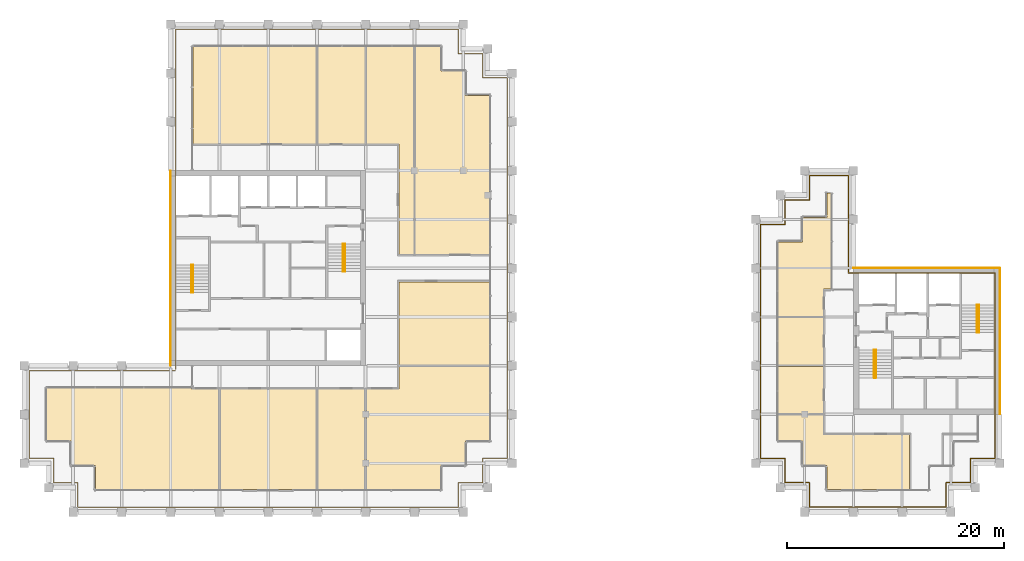
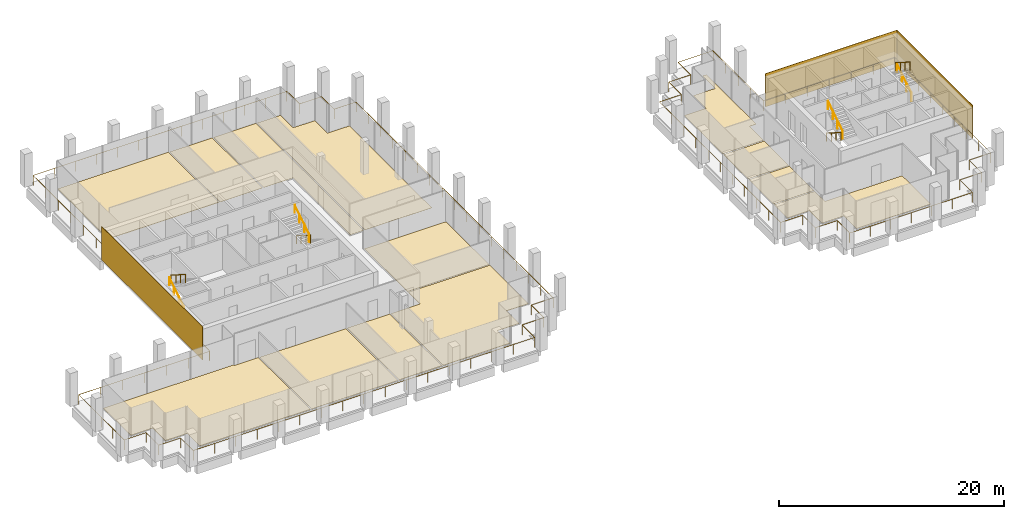
# One storey, part 40 of 40: 16 coverings, 10 railings.
"""IFC4 building model written with IfcOpenShell, lengths in metres."""

from ifc_helpers import new_model, si_unit, direction, frame, origin, origin_2d, place, context, subcontext, project, spatial, polyline, rectangle, circle, outline, extrude, source, transform, mapped, material, layer, layer_set, type_object, element, save


model = new_model("IFC4")

# Units and contexts
model_context = context("Model", 3, precision=1e-05, world=origin(), true_north=direction((0.0, 1.0)))
body_context = subcontext(model_context, "Body", "Model", "MODEL_VIEW")
ifc_project = project(units=[si_unit("LENGTHUNIT", "METRE"), si_unit("AREAUNIT", "SQUARE_METRE"), si_unit("VOLUMEUNIT", "CUBIC_METRE"), si_unit("PLANEANGLEUNIT", "RADIAN"), si_unit("MASSUNIT", "GRAM", prefix="KILO")], contexts=[model_context])

# Site, building, storey
site_placement = place(None, origin())
site = spatial("IfcSite", under=ifc_project, at=site_placement, CompositionType="ELEMENT")
building_placement = place(site_placement, origin())
building = spatial("IfcBuilding", under=site, at=building_placement, Name="Altepetl Exchange Towers", CompositionType="ELEMENT")
storey_placement = place(building_placement, frame((0.0, 0.0, 195.60009765625)))
storey = spatial("IfcBuildingStorey", under=building, at=storey_placement, Name="L49", CompositionType="ELEMENT", Elevation=195.60009765625)

# Coverings
ifc_material_1 = material(Name="Carpet tile")
ifc_layer_1 = layer(ifc_material_1, 0.02001953125)
ifc_layer_set_1 = layer_set([ifc_layer_1], Name="Carpet tile")
covering_type_1 = type_object("IfcCoveringType", Name="Carpet tile floor", PredefinedType="FLOORING", material=ifc_layer_set_1)
covering_1_placement = place(storey_placement, origin())
element("IfcCovering", 1, at=covering_1_placement, inside=storey, type_object=covering_type_1, Name="Open office floor finish A49.02", PredefinedType="FLOORING", context=body_context, shape_type="SweptSolid", body=[
    extrude(outline(polyline([(45.0625, 38.33740234375), (45.0625, 29.0625), (53.9375, 29.0625), (53.9375, 38.33740234375), (45.0625, 38.33740234375)])), origin(), (0.0, 0.0, 1.0), 0.02001953125),
])
covering_2_placement = place(storey_placement, origin())
element("IfcCovering", 2, at=covering_2_placement, inside=storey, type_object=covering_type_1, Name="Open office floor finish A49.06", PredefinedType="FLOORING", context=body_context, shape_type="SweptSolid", body=[
    extrude(outline(polyline([(65.4375, 67.6875), (65.4375, 69.9375), (63.0625, 69.9375), (63.0625, 50.762451171875), (69.9375, 50.762451171875), (69.9375, 65.4375), (67.6875, 65.4375), (67.6875, 67.6875), (65.4375, 67.6875)])), origin(), (0.0, 0.0, 1.0), 0.02001953125),
])
covering_3_placement = place(storey_placement, origin())
element("IfcCovering", 3, at=covering_3_placement, inside=storey, type_object=covering_type_1, Name="Meeting room floor finish A49.07", PredefinedType="FLOORING", context=body_context, shape_type="SweptSolid", body=[
    extrude(outline(polyline([(62.9375, 50.762451171875), (62.9375, 69.9375), (58.5625, 69.9375), (58.5625, 60.96240234375), (61.5625, 60.96240234375), (61.5625, 50.762451171875), (62.9375, 50.762451171875)])), origin(), (0.0, 0.0, 1.0), 0.02001953125),
])
covering_4_placement = place(storey_placement, origin())
element("IfcCovering", 4, at=covering_4_placement, inside=storey, type_object=covering_type_1, Name="Pantry floor finish A49.08", PredefinedType="FLOORING", context=body_context, shape_type="SweptSolid", body=[
    extrude(outline(polyline([(58.4375, 60.96240234375), (58.4375, 69.9375), (54.0625, 69.9375), (54.0625, 60.96240234375), (58.4375, 60.96240234375)])), origin(), (0.0, 0.0, 1.0), 0.02001953125),
])
covering_5_placement = place(storey_placement, origin())
element("IfcCovering", 5, at=covering_5_placement, inside=storey, type_object=covering_type_1, Name="Fund office floor finish B49.01", PredefinedType="FLOORING", context=body_context, shape_type="SweptSolid", body=[
    extrude(outline(polyline([(100.737548828125, 44.9375), (96.5625, 44.9375), (96.5625, 40.5625), (100.737548828125, 40.5625), (100.737548828125, 44.9375)])), origin(), (0.0, 0.0, 1.0), 0.02001953125),
])
covering_6_placement = place(storey_placement, origin())
element("IfcCovering", 6, at=covering_6_placement, inside=storey, type_object=covering_type_1, Name="Fund office floor finish B49.02", PredefinedType="FLOORING", context=body_context, shape_type="SweptSolid", body=[
    extrude(outline(polyline([(100.737548828125, 40.4375), (96.5625, 40.4375), (96.5625, 36.0625), (100.737548828125, 36.0625), (100.737548828125, 40.4375)])), origin(), (0.0, 0.0, 1.0), 0.02001953125),
])
covering_7_placement = place(storey_placement, origin())
element("IfcCovering", 7, at=covering_7_placement, inside=storey, type_object=covering_type_1, Name="Wealth office floor finish B49.03", PredefinedType="FLOORING", context=body_context, shape_type="SweptSolid", body=[
    extrude(outline(polyline([(100.737548828125, 34.137451171875), (100.737548828125, 35.9375), (96.5625, 35.9375), (96.5625, 33.5625), (98.8125, 33.5625), (98.8125, 31.3125), (101.0625, 31.3125), (101.0625, 29.0625), (108.6875, 29.0625), (108.6875, 34.137451171875), (100.737548828125, 34.137451171875)])), origin(), (0.0, 0.0, 1.0), 0.02001953125),
])
covering_8_placement = place(storey_placement, origin())
element("IfcCovering", 8, at=covering_8_placement, inside=storey, type_object=covering_type_1, Name="Family office floor finish B49.04", PredefinedType="FLOORING", context=body_context, shape_type="SweptSolid", body=[
    extrude(outline(polyline([(96.5625, 51.9375), (96.5625, 45.0625), (100.737548828125, 45.0625), (100.737548828125, 47.5625), (101.4375, 47.5625), (101.4375, 56.4375), (101.0625, 56.4375), (101.0625, 54.1875), (98.8125, 54.1875), (98.8125, 51.9375), (96.5625, 51.9375)])), origin(), (0.0, 0.0, 1.0), 0.02001953125),
])
ifc_material_2 = material(Name="Calcium sulphate access floor panel")
ifc_layer_2 = layer(ifc_material_2, 0.0400390625)
ifc_layer_set_2 = layer_set([ifc_layer_2], Name="Calcium sulphate access floor panel")
covering_type_2 = type_object("IfcCoveringType", Name="Raised access floor panels", PredefinedType="FLOORING", material=ifc_layer_set_2)
covering_9_placement = place(storey_placement, origin())
element("IfcCovering", 9, at=covering_9_placement, inside=storey, type_object=covering_type_2, Name="Broker office floor finish A49.01", PredefinedType="FLOORING", context=body_context, shape_type="SweptSolid", body=[
    extrude(outline(polyline([(33.5625, 29.0625), (44.9375, 29.0625), (44.9375, 38.33740234375), (42.4375, 38.33740234375), (42.4375, 38.4375), (29.0625, 38.4375), (29.0625, 33.5625), (31.3125, 33.5625), (31.3125, 31.3125), (33.5625, 31.3125), (33.5625, 29.0625)])), origin(), (0.0, 0.0, 1.0), 0.039794921875),
])
covering_10_placement = place(storey_placement, origin())
element("IfcCovering", 10, at=covering_10_placement, inside=storey, type_object=covering_type_2, Name="Data room floor finish A49.03", PredefinedType="FLOORING", context=body_context, shape_type="SweptSolid", body=[
    extrude(outline(polyline([(54.0625, 29.0625), (58.4375, 29.0625), (58.4375, 38.33740234375), (54.0625, 38.33740234375), (54.0625, 29.0625)])), origin(), (0.0, 0.0, 1.0), 0.039794921875),
])
covering_11_placement = place(storey_placement, origin())
element("IfcCovering", 11, at=covering_11_placement, inside=storey, type_object=covering_type_2, Name="Treasury office floor finish A49.04", PredefinedType="FLOORING", context=body_context, shape_type="SweptSolid", body=[
    extrude(outline(polyline([(58.5625, 38.33740234375), (58.5625, 29.0625), (65.4375, 29.0625), (65.4375, 31.3125), (67.6875, 31.3125), (67.6875, 33.5625), (69.9375, 33.5625), (69.9375, 40.4375), (61.5625, 40.4375), (61.5625, 38.33740234375), (58.5625, 38.33740234375)])), origin(), (0.0, 0.0, 1.0), 0.039794921875),
])
covering_12_placement = place(storey_placement, origin())
element("IfcCovering", 12, at=covering_12_placement, inside=storey, type_object=covering_type_2, Name="Treasury office floor finish A49.05", PredefinedType="FLOORING", context=body_context, shape_type="SweptSolid", body=[
    extrude(outline(polyline([(61.5625, 40.5625), (69.9375, 40.5625), (69.9375, 48.237548828125), (61.5625, 48.237548828125), (61.5625, 40.5625)])), origin(), (0.0, 0.0, 1.0), 0.039794921875),
])
covering_13_placement = place(storey_placement, origin())
element("IfcCovering", 13, at=covering_13_placement, inside=storey, type_object=covering_type_2, Name="Broker office floor finish A49.09", PredefinedType="FLOORING", context=body_context, shape_type="SweptSolid", body=[
    extrude(outline(polyline([(53.9375, 60.96240234375), (53.9375, 69.9375), (42.5625, 69.9375), (42.5625, 60.96240234375), (53.9375, 60.96240234375)])), origin(), (0.0, 0.0, 1.0), 0.039794921875),
])
ifc_material_3 = material(Name="Cantera limestone cladding", Category="masonry")
ifc_layer_3 = layer(ifc_material_3, 0.0400390625)
ifc_layer_set_3 = layer_set([ifc_layer_3], Name="Cantera limestone cladding")
covering_type_3 = type_object("IfcCoveringType", Name="Stone panel 40 cantera", PredefinedType="CLADDING", material=ifc_layer_set_3)
covering_14_placement = place(storey_placement, frame((40.47998046875, 49.5, -0.000244140625), z_axis=(0.0, 0.0, 1.0), x_axis=(0.0, -1.0, 0.0)))
element("IfcCovering", 14, at=covering_14_placement, inside=storey, type_object=covering_type_3, Name="Stone cladding panel", PredefinedType="CLADDING", context=body_context, shape_type="SweptSolid", body=[
    extrude(rectangle(XDim=18.0, YDim=0.0400390625, at=origin_2d()), origin(), (0.0, 0.0, 1.0), 3.60009765625),
])
for number, where, z_axis, x_axis, name in (
    (15, (117.02001953125, 42.75, -0.000244140625), (0.0, 0.0, 1.0), (0.0, 1.0, 0.0), "Stone cladding panel"),
    (16, (110.25, 49.52001953125, -0.000244140625), (0.0, 0.0, 1.0), (-1.0, 0.0, 0.0), "Stone cladding panel"),
):
    element("IfcCovering", number, at=place(storey_placement, frame(where, z_axis=z_axis, x_axis=x_axis)), inside=storey, type_object=covering_type_3, Name=name, PredefinedType="CLADDING", context=body_context, shape_type="SweptSolid", body=[
        extrude(rectangle(XDim=13.5, YDim=0.0400390625, at=origin_2d()), origin(), (0.0, 0.0, 1.0), 3.60009765625),
    ])

# Railings
ifc_material_4 = material(Name="Steel S355", Category="steel")
railing_type_1 = type_object("IfcRailingType", Name="Guard 1100 steel posts and rail", PredefinedType="GUARDRAIL", material=ifc_material_4)
shared_shape_1 = source(origin(), body_context, "Body", "SweptSolid", [
    extrude(circle(Radius=0.02099609375, at=origin_2d()), origin(), (0.0, 0.0, 1.0), 1.052001953125),
])
railing_1_placement = place(storey_placement, frame((40.949951171875, 40.050048828125, 0.0)))
element("IfcRailing", 17, at=railing_1_placement, inside=storey, type_object=railing_type_1, Name="Loggia guard", PredefinedType="GUARDRAIL", context=body_context, shape_type="SweptSolid", body=[
    extrude(circle(Radius=0.02392578125, at=origin_2d()), frame((0.0, 0.0, 1.076171875), z_axis=(-1.0, 0.0, 0.0), x_axis=(0.0, -1.0, 0.0)), (0.0, 0.0, 1.0), 13.5),
    extrude(circle(Radius=0.02392578125, at=origin_2d()), frame((-13.5, 0.0, 1.076171875), z_axis=(0.0, -1.0, 0.0), x_axis=(1.0, 0.0, 0.0)), (0.0, 0.0, 1.0), 8.10009765625),
    extrude(circle(Radius=0.02392578125, at=origin_2d()), frame((-13.5, -8.10009765625, 1.076171875), z_axis=(1.0, 0.0, 0.0), x_axis=(0.0, 1.0, 0.0)), (0.0, 0.0, 1.0), 2.25),
    extrude(circle(Radius=0.02392578125, at=origin_2d()), frame((-11.25, -8.10009765625, 1.076171875), z_axis=(0.0, -1.0, 0.0), x_axis=(1.0, 0.0, 0.0)), (0.0, 0.0, 1.0), 2.25),
    extrude(circle(Radius=0.02392578125, at=origin_2d()), frame((-11.25, -10.35009765625, 1.076171875), z_axis=(1.0, 0.0, 0.0), x_axis=(0.0, 1.0, 0.0)), (0.0, 0.0, 1.0), 2.25),
    extrude(circle(Radius=0.02392578125, at=origin_2d()), frame((-9.0, -10.35009765625, 1.076171875), z_axis=(0.0, -1.0, 0.0), x_axis=(1.0, 0.0, 0.0)), (0.0, 0.0, 1.0), 2.25),
    extrude(circle(Radius=0.02392578125, at=origin_2d()), frame((-9.0, -12.60009765625, 1.076171875), z_axis=(1.0, 0.0, 0.0), x_axis=(0.0, 1.0, 0.0)), (0.0, 0.0, 1.0), 35.10009765625),
    extrude(circle(Radius=0.02392578125, at=origin_2d()), frame((26.10009765625, -12.60009765625, 1.076171875), z_axis=(0.0, 1.0, 0.0), x_axis=(-1.0, 0.0, 0.0)), (0.0, 0.0, 1.0), 2.25),
    extrude(circle(Radius=0.02392578125, at=origin_2d()), frame((26.10009765625, -10.35009765625, 1.076171875), z_axis=(1.0, 0.0, 0.0), x_axis=(0.0, 1.0, 0.0)), (0.0, 0.0, 1.0), 2.25),
    extrude(circle(Radius=0.02392578125, at=origin_2d()), frame((28.35009765625, -10.35009765625, 1.076171875), z_axis=(0.0, 1.0, 0.0), x_axis=(-1.0, 0.0, 0.0)), (0.0, 0.0, 1.0), 2.25),
    extrude(circle(Radius=0.02392578125, at=origin_2d()), frame((28.35009765625, -8.10009765625, 1.076171875), z_axis=(1.0, 0.0, 0.0), x_axis=(0.0, 1.0, 0.0)), (0.0, 0.0, 1.0), 2.25),
    extrude(circle(Radius=0.02392578125, at=origin_2d()), frame((30.60009765625, -8.10009765625, 1.076171875), z_axis=(0.0, 1.0, 0.0), x_axis=(-1.0, 0.0, 0.0)), (0.0, 0.0, 1.0), 35.10009765625),
    extrude(circle(Radius=0.02392578125, at=origin_2d()), frame((30.60009765625, 27.0, 1.076171875), z_axis=(-1.0, 0.0, 0.0), x_axis=(0.0, -1.0, 0.0)), (0.0, 0.0, 1.0), 2.25),
    extrude(circle(Radius=0.02392578125, at=origin_2d()), frame((28.35009765625, 27.0, 1.076171875), z_axis=(0.0, 1.0, 0.0), x_axis=(-1.0, 0.0, 0.0)), (0.0, 0.0, 1.0), 2.25),
    extrude(circle(Radius=0.02392578125, at=origin_2d()), frame((28.35009765625, 29.25, 1.076171875), z_axis=(-1.0, 0.0, 0.0), x_axis=(0.0, -1.0, 0.0)), (0.0, 0.0, 1.0), 2.25),
    extrude(circle(Radius=0.02392578125, at=origin_2d()), frame((26.10009765625, 29.25, 1.076171875), z_axis=(0.0, 1.0, 0.0), x_axis=(-1.0, 0.0, 0.0)), (0.0, 0.0, 1.0), 2.25),
    extrude(circle(Radius=0.02392578125, at=origin_2d()), frame((26.10009765625, 31.5, 1.076171875), z_axis=(-1.0, 0.0, 0.0), x_axis=(0.0, -1.0, 0.0)), (0.0, 0.0, 1.0), 26.10009765625),
    extrude(circle(Radius=0.02392578125, at=origin_2d()), frame((0.0, 31.5, 1.076171875), z_axis=(0.0, -1.0, 0.0), x_axis=(1.0, 0.0, 0.0)), (0.0, 0.0, 1.0), 31.400146484375),
    mapped(shared_shape_1, transform((0.0, 0.0, 0.0))),
    mapped(shared_shape_1, transform((-2.25, 0.0, 0.0))),
    mapped(shared_shape_1, transform((-4.5, 0.0, 0.0))),
    mapped(shared_shape_1, transform((-6.75, 0.0, 0.0))),
    mapped(shared_shape_1, transform((-9.0, 0.0, 0.0))),
    mapped(shared_shape_1, transform((-11.25, 0.0, 0.0))),
    mapped(shared_shape_1, transform((-13.5, 0.0, 0.0))),
    mapped(shared_shape_1, transform((-13.5, -2.02490234375, 0.0))),
    mapped(shared_shape_1, transform((-13.5, -4.050048828125, 0.0))),
    mapped(shared_shape_1, transform((-13.5, -6.0751953125, 0.0))),
    mapped(shared_shape_1, transform((-13.5, -8.10009765625, 0.0))),
    mapped(shared_shape_1, transform((-11.25, -8.10009765625, 0.0))),
    mapped(shared_shape_1, transform((-11.25, -10.35009765625, 0.0))),
    mapped(shared_shape_1, transform((-9.0, -10.35009765625, 0.0))),
    mapped(shared_shape_1, transform((-9.0, -12.60009765625, 0.0))),
    mapped(shared_shape_1, transform((-6.80615234375, -12.60009765625, 0.0))),
    mapped(shared_shape_1, transform((-4.612548828125, -12.60009765625, 0.0))),
    mapped(shared_shape_1, transform((-2.418701171875, -12.60009765625, 0.0))),
    mapped(shared_shape_1, transform((-0.22509765625, -12.60009765625, 0.0))),
    mapped(shared_shape_1, transform((1.96875, -12.60009765625, 0.0))),
    mapped(shared_shape_1, transform((4.16259765625, -12.60009765625, 0.0))),
    mapped(shared_shape_1, transform((6.356201171875, -12.60009765625, 0.0))),
    mapped(shared_shape_1, transform((8.550048828125, -12.60009765625, 0.0))),
    mapped(shared_shape_1, transform((10.743896484375, -12.60009765625, 0.0))),
    mapped(shared_shape_1, transform((12.9375, -12.60009765625, 0.0))),
    mapped(shared_shape_1, transform((15.13134765625, -12.60009765625, 0.0))),
    mapped(shared_shape_1, transform((17.3251953125, -12.60009765625, 0.0))),
    mapped(shared_shape_1, transform((19.518798828125, -12.60009765625, 0.0))),
    mapped(shared_shape_1, transform((21.712646484375, -12.60009765625, 0.0))),
    mapped(shared_shape_1, transform((23.90625, -12.60009765625, 0.0))),
    mapped(shared_shape_1, transform((26.10009765625, -12.60009765625, 0.0))),
    mapped(shared_shape_1, transform((26.10009765625, -10.35009765625, 0.0))),
    mapped(shared_shape_1, transform((28.35009765625, -10.35009765625, 0.0))),
    mapped(shared_shape_1, transform((28.35009765625, -8.10009765625, 0.0))),
    mapped(shared_shape_1, transform((30.60009765625, -8.10009765625, 0.0))),
    mapped(shared_shape_1, transform((30.60009765625, -5.90625, 0.0))),
    mapped(shared_shape_1, transform((30.60009765625, -3.712646484375, 0.0))),
    mapped(shared_shape_1, transform((30.60009765625, -1.518798828125, 0.0))),
    mapped(shared_shape_1, transform((30.60009765625, 0.6748046875, 0.0))),
    mapped(shared_shape_1, transform((30.60009765625, 2.86865234375, 0.0))),
    mapped(shared_shape_1, transform((30.60009765625, 5.0625, 0.0))),
    mapped(shared_shape_1, transform((30.60009765625, 7.256103515625, 0.0))),
    mapped(shared_shape_1, transform((30.60009765625, 9.449951171875, 0.0))),
    mapped(shared_shape_1, transform((30.60009765625, 11.643798828125, 0.0))),
    mapped(shared_shape_1, transform((30.60009765625, 13.83740234375, 0.0))),
    mapped(shared_shape_1, transform((30.60009765625, 16.03125, 0.0))),
    mapped(shared_shape_1, transform((30.60009765625, 18.22509765625, 0.0))),
    mapped(shared_shape_1, transform((30.60009765625, 20.418701171875, 0.0))),
    mapped(shared_shape_1, transform((30.60009765625, 22.612548828125, 0.0))),
    mapped(shared_shape_1, transform((30.60009765625, 24.80615234375, 0.0))),
    mapped(shared_shape_1, transform((30.60009765625, 27.0, 0.0))),
    mapped(shared_shape_1, transform((28.35009765625, 27.0, 0.0))),
    mapped(shared_shape_1, transform((28.35009765625, 29.25, 0.0))),
    mapped(shared_shape_1, transform((26.10009765625, 29.25, 0.0))),
    mapped(shared_shape_1, transform((26.10009765625, 31.5, 0.0))),
    mapped(shared_shape_1, transform((23.925048828125, 31.5, 0.0))),
    mapped(shared_shape_1, transform((21.75, 31.5, 0.0))),
    mapped(shared_shape_1, transform((19.5751953125, 31.5, 0.0))),
    mapped(shared_shape_1, transform((17.400146484375, 31.5, 0.0))),
    mapped(shared_shape_1, transform((15.22509765625, 31.5, 0.0))),
    mapped(shared_shape_1, transform((13.050048828125, 31.5, 0.0))),
    mapped(shared_shape_1, transform((10.875, 31.5, 0.0))),
    mapped(shared_shape_1, transform((8.699951171875, 31.5, 0.0))),
    mapped(shared_shape_1, transform((6.52490234375, 31.5, 0.0))),
    mapped(shared_shape_1, transform((4.35009765625, 31.5, 0.0))),
    mapped(shared_shape_1, transform((2.175048828125, 31.5, 0.0))),
    mapped(shared_shape_1, transform((0.0, 31.5, 0.0))),
    mapped(shared_shape_1, transform((0.0, 29.257080078125, 0.0))),
    mapped(shared_shape_1, transform((0.0, 27.01416015625, 0.0))),
    mapped(shared_shape_1, transform((0.0, 24.771484375, 0.0))),
    mapped(shared_shape_1, transform((0.0, 22.528564453125, 0.0))),
    mapped(shared_shape_1, transform((0.0, 20.28564453125, 0.0))),
    mapped(shared_shape_1, transform((0.0, 18.042724609375, 0.0))),
    mapped(shared_shape_1, transform((0.0, 15.7998046875, 0.0))),
    mapped(shared_shape_1, transform((0.0, 13.55712890625, 0.0))),
    mapped(shared_shape_1, transform((0.0, 11.314208984375, 0.0))),
    mapped(shared_shape_1, transform((0.0, 9.0712890625, 0.0))),
    mapped(shared_shape_1, transform((0.0, 6.828369140625, 0.0))),
    mapped(shared_shape_1, transform((0.0, 4.585693359375, 0.0))),
    mapped(shared_shape_1, transform((0.0, 2.3427734375, 0.0))),
    mapped(shared_shape_1, transform((0.0, 0.099853515625, 0.0))),
])
railing_2_placement = place(storey_placement, frame((99.449951171875, 27.449951171875, 0.0)))
element("IfcRailing", 18, at=railing_2_placement, inside=storey, type_object=railing_type_1, Name="Loggia guard", PredefinedType="GUARDRAIL", context=body_context, shape_type="SweptSolid", body=[
    extrude(circle(Radius=0.02392578125, at=origin_2d()), frame((0.0, 0.0, 1.076171875), z_axis=(1.0, 0.0, 0.0), x_axis=(0.0, 1.0, 0.0)), (0.0, 0.0, 1.0), 12.60009765625),
    extrude(circle(Radius=0.02392578125, at=origin_2d()), frame((12.60009765625, 0.0, 1.076171875), z_axis=(0.0, 1.0, 0.0), x_axis=(-1.0, 0.0, 0.0)), (0.0, 0.0, 1.0), 2.25),
    extrude(circle(Radius=0.02392578125, at=origin_2d()), frame((12.60009765625, 2.25, 1.076171875), z_axis=(1.0, 0.0, 0.0), x_axis=(0.0, 1.0, 0.0)), (0.0, 0.0, 1.0), 2.25),
    extrude(circle(Radius=0.02392578125, at=origin_2d()), frame((14.85009765625, 2.25, 1.076171875), z_axis=(0.0, 1.0, 0.0), x_axis=(-1.0, 0.0, 0.0)), (0.0, 0.0, 1.0), 2.25),
    extrude(circle(Radius=0.02392578125, at=origin_2d()), frame((14.85009765625, 4.5, 1.076171875), z_axis=(1.0, 0.0, 0.0), x_axis=(0.0, 1.0, 0.0)), (0.0, 0.0, 1.0), 2.25),
    extrude(circle(Radius=0.02392578125, at=origin_2d()), frame((17.10009765625, 4.5, 1.076171875), z_axis=(0.0, 1.0, 0.0), x_axis=(-1.0, 0.0, 0.0)), (0.0, 0.0, 1.0), 17.10009765625),
    extrude(circle(Radius=0.02392578125, at=origin_2d()), frame((17.10009765625, 21.60009765625, 1.076171875), z_axis=(-1.0, 0.0, 0.0), x_axis=(0.0, -1.0, 0.0)), (0.0, 0.0, 1.0), 13.5),
    extrude(circle(Radius=0.02392578125, at=origin_2d()), frame((3.60009765625, 21.60009765625, 1.076171875), z_axis=(0.0, 1.0, 0.0), x_axis=(-1.0, 0.0, 0.0)), (0.0, 0.0, 1.0), 9.0),
    extrude(circle(Radius=0.02392578125, at=origin_2d()), frame((3.60009765625, 30.60009765625, 1.076171875), z_axis=(-1.0, 0.0, 0.0), x_axis=(0.0, -1.0, 0.0)), (0.0, 0.0, 1.0), 3.60009765625),
    extrude(circle(Radius=0.02392578125, at=origin_2d()), frame((0.0, 30.60009765625, 1.076171875), z_axis=(0.0, -1.0, 0.0), x_axis=(1.0, 0.0, 0.0)), (0.0, 0.0, 1.0), 2.25),
    extrude(circle(Radius=0.02392578125, at=origin_2d()), frame((0.0, 28.35009765625, 1.076171875), z_axis=(-1.0, 0.0, 0.0), x_axis=(0.0, -1.0, 0.0)), (0.0, 0.0, 1.0), 2.25),
    extrude(circle(Radius=0.02392578125, at=origin_2d()), frame((-2.25, 28.35009765625, 1.076171875), z_axis=(0.0, -1.0, 0.0), x_axis=(1.0, 0.0, 0.0)), (0.0, 0.0, 1.0), 2.25),
    extrude(circle(Radius=0.02392578125, at=origin_2d()), frame((-2.25, 26.10009765625, 1.076171875), z_axis=(-1.0, 0.0, 0.0), x_axis=(0.0, -1.0, 0.0)), (0.0, 0.0, 1.0), 2.25),
    extrude(circle(Radius=0.02392578125, at=origin_2d()), frame((-4.5, 26.10009765625, 1.076171875), z_axis=(0.0, -1.0, 0.0), x_axis=(1.0, 0.0, 0.0)), (0.0, 0.0, 1.0), 21.60009765625),
    extrude(circle(Radius=0.02392578125, at=origin_2d()), frame((-4.5, 4.5, 1.076171875), z_axis=(1.0, 0.0, 0.0), x_axis=(0.0, 1.0, 0.0)), (0.0, 0.0, 1.0), 2.25),
    extrude(circle(Radius=0.02392578125, at=origin_2d()), frame((-2.25, 4.5, 1.076171875), z_axis=(0.0, -1.0, 0.0), x_axis=(1.0, 0.0, 0.0)), (0.0, 0.0, 1.0), 2.25),
    extrude(circle(Radius=0.02392578125, at=origin_2d()), frame((-2.25, 2.25, 1.076171875), z_axis=(1.0, 0.0, 0.0), x_axis=(0.0, 1.0, 0.0)), (0.0, 0.0, 1.0), 2.25),
    extrude(circle(Radius=0.02392578125, at=origin_2d()), frame((0.0, 2.25, 1.076171875), z_axis=(0.0, -1.0, 0.0), x_axis=(1.0, 0.0, 0.0)), (0.0, 0.0, 1.0), 2.14990234375),
    mapped(shared_shape_1, transform((0.0, 0.0, 0.0))),
    mapped(shared_shape_1, transform((2.10009765625, 0.0, 0.0))),
    mapped(shared_shape_1, transform((4.199951171875, 0.0, 0.0))),
    mapped(shared_shape_1, transform((6.300048828125, 0.0, 0.0))),
    mapped(shared_shape_1, transform((8.400146484375, 0.0, 0.0))),
    mapped(shared_shape_1, transform((10.5, 0.0, 0.0))),
    mapped(shared_shape_1, transform((12.60009765625, 0.0, 0.0))),
    mapped(shared_shape_1, transform((12.60009765625, 2.25, 0.0))),
    mapped(shared_shape_1, transform((14.85009765625, 2.25, 0.0))),
    mapped(shared_shape_1, transform((14.85009765625, 4.5, 0.0))),
    mapped(shared_shape_1, transform((17.10009765625, 4.5, 0.0))),
    mapped(shared_shape_1, transform((17.10009765625, 6.637451171875, 0.0))),
    mapped(shared_shape_1, transform((17.10009765625, 8.77490234375, 0.0))),
    mapped(shared_shape_1, transform((17.10009765625, 10.91259765625, 0.0))),
    mapped(shared_shape_1, transform((17.10009765625, 13.050048828125, 0.0))),
    mapped(shared_shape_1, transform((17.10009765625, 15.1875, 0.0))),
    mapped(shared_shape_1, transform((17.10009765625, 17.3251953125, 0.0))),
    mapped(shared_shape_1, transform((17.10009765625, 19.462646484375, 0.0))),
    mapped(shared_shape_1, transform((17.10009765625, 21.60009765625, 0.0))),
    mapped(shared_shape_1, transform((14.85009765625, 21.60009765625, 0.0))),
    mapped(shared_shape_1, transform((12.60009765625, 21.60009765625, 0.0))),
    mapped(shared_shape_1, transform((10.35009765625, 21.60009765625, 0.0))),
    mapped(shared_shape_1, transform((8.10009765625, 21.60009765625, 0.0))),
    mapped(shared_shape_1, transform((5.85009765625, 21.60009765625, 0.0))),
    mapped(shared_shape_1, transform((3.60009765625, 21.60009765625, 0.0))),
    mapped(shared_shape_1, transform((3.60009765625, 23.85009765625, 0.0))),
    mapped(shared_shape_1, transform((3.60009765625, 26.10009765625, 0.0))),
    mapped(shared_shape_1, transform((3.60009765625, 28.35009765625, 0.0))),
    mapped(shared_shape_1, transform((3.60009765625, 30.60009765625, 0.0))),
    mapped(shared_shape_1, transform((1.800048828125, 30.60009765625, 0.0))),
    mapped(shared_shape_1, transform((0.0, 30.60009765625, 0.0))),
    mapped(shared_shape_1, transform((0.0, 28.35009765625, 0.0))),
    mapped(shared_shape_1, transform((-2.25, 28.35009765625, 0.0))),
    mapped(shared_shape_1, transform((-2.25, 26.10009765625, 0.0))),
    mapped(shared_shape_1, transform((-4.5, 26.10009765625, 0.0))),
    mapped(shared_shape_1, transform((-4.5, 23.940185546875, 0.0))),
    mapped(shared_shape_1, transform((-4.5, 21.780029296875, 0.0))),
    mapped(shared_shape_1, transform((-4.5, 19.6201171875, 0.0))),
    mapped(shared_shape_1, transform((-4.5, 17.4599609375, 0.0))),
    mapped(shared_shape_1, transform((-4.5, 15.300048828125, 0.0))),
    mapped(shared_shape_1, transform((-4.5, 13.14013671875, 0.0))),
    mapped(shared_shape_1, transform((-4.5, 10.97998046875, 0.0))),
    mapped(shared_shape_1, transform((-4.5, 8.820068359375, 0.0))),
    mapped(shared_shape_1, transform((-4.5, 6.659912109375, 0.0))),
    mapped(shared_shape_1, transform((-4.5, 4.5, 0.0))),
    mapped(shared_shape_1, transform((-2.25, 4.5, 0.0))),
    mapped(shared_shape_1, transform((-2.25, 2.25, 0.0))),
    mapped(shared_shape_1, transform((0.0, 2.25, 0.0))),
    mapped(shared_shape_1, transform((0.0, 0.10009765625, 0.0))),
])
ifc_material_5 = material(Name="Steel", Category="steel")
railing_type_2 = type_object("IfcRailingType", Name="Stair handrail 50 steel tube", PredefinedType="HANDRAIL", material=ifc_material_5)
shared_shape_2 = source(origin(), body_context, "Body", "SweptSolid", [
    extrude(circle(Radius=0.02099609375, at=origin_2d()), origin(), (0.0, 0.0, 1.0), 0.851806640625),
])
railing_3_placement = place(storey_placement, frame((42.419921875, 47.25, 0.179931640625)))
element("IfcRailing", 19, at=railing_3_placement, inside=storey, type_object=railing_type_2, Name="Stair handrail", PredefinedType="HANDRAIL", context=body_context, shape_type="SweptSolid", body=[
    extrude(circle(Radius=0.02392578125, at=origin_2d()), frame((0.0, 0.0, 0.8759765625), z_axis=(0.0, 0.845502289212, 0.533971796014), x_axis=(-1.0, 0.0, 0.0)), (0.0, 0.0, 1.0), 3.03369140625),
    mapped(shared_shape_2, transform((0.0, 0.0, 0.0))),
    mapped(shared_shape_2, transform((0.0, 0.85498046875, 0.5400390625))),
    mapped(shared_shape_2, transform((0.0, 1.7099609375, 1.079833984375))),
    mapped(shared_shape_2, transform((0.0, 2.56494140625, 1.619873046875))),
])
for number, where, name in (
    (20, (42.580078125, 49.81494140625, 1.97998046875), "Stair handrail"),
    (21, (56.580078125, 51.75, 0.179931640625), "Stair handrail"),
):
    element("IfcRailing", number, at=place(storey_placement, frame(where)), inside=storey, type_object=railing_type_2, Name=name, PredefinedType="HANDRAIL", context=body_context, shape_type="SweptSolid", body=[
        extrude(circle(Radius=0.02392578125, at=origin_2d()), frame((0.0, 0.0, 0.8759765625), z_axis=(0.0, -0.845502289212, 0.533971796014), x_axis=(1.0, 0.0, 0.0)), (0.0, 0.0, 1.0), 3.03369140625),
        mapped(shared_shape_2, transform((0.0, 0.0, 0.0))),
        mapped(shared_shape_2, transform((0.0, -0.85498046875, 0.5400390625))),
        mapped(shared_shape_2, transform((0.0, -1.7099609375, 1.079833984375))),
        mapped(shared_shape_2, transform((0.0, -2.56494140625, 1.619873046875))),
    ])
railing_4_placement = place(storey_placement, frame((56.419921875, 49.18505859375, 1.97998046875)))
element("IfcRailing", 22, at=railing_4_placement, inside=storey, type_object=railing_type_2, Name="Stair handrail", PredefinedType="HANDRAIL", context=body_context, shape_type="SweptSolid", body=[
    extrude(circle(Radius=0.02392578125, at=origin_2d()), frame((0.0, 0.0, 0.8759765625), z_axis=(0.0, 0.845502289212, 0.533971796014), x_axis=(-1.0, 0.0, 0.0)), (0.0, 0.0, 1.0), 3.03369140625),
    mapped(shared_shape_2, transform((0.0, 0.0, 0.0))),
    mapped(shared_shape_2, transform((0.0, 0.85498046875, 0.5400390625))),
    mapped(shared_shape_2, transform((0.0, 1.7099609375, 1.079833984375))),
    mapped(shared_shape_2, transform((0.0, 2.56494140625, 1.619873046875))),
])
railing_5_placement = place(storey_placement, frame((105.419921875, 41.949951171875, 0.179931640625)))
element("IfcRailing", 23, at=railing_5_placement, inside=storey, type_object=railing_type_2, Name="Stair handrail", PredefinedType="HANDRAIL", context=body_context, shape_type="SweptSolid", body=[
    extrude(circle(Radius=0.02392578125, at=origin_2d()), frame((0.0, 0.0, 0.8759765625), z_axis=(0.0, -0.845502289212, 0.533971796014), x_axis=(1.0, 0.0, 0.0)), (0.0, 0.0, 1.0), 3.03369140625),
    mapped(shared_shape_2, transform((0.0, 0.0, 0.0))),
    mapped(shared_shape_2, transform((0.0, -0.85498046875, 0.5400390625))),
    mapped(shared_shape_2, transform((0.0, -1.7099609375, 1.079833984375))),
    mapped(shared_shape_2, transform((0.0, -2.56494140625, 1.619873046875))),
])
for number, where, name in (
    (24, (105.580078125, 39.385009765625, 1.97998046875), "Stair handrail"),
    (25, (115.080078125, 43.550048828125, 0.179931640625), "Stair handrail"),
):
    element("IfcRailing", number, at=place(storey_placement, frame(where)), inside=storey, type_object=railing_type_2, Name=name, PredefinedType="HANDRAIL", context=body_context, shape_type="SweptSolid", body=[
        extrude(circle(Radius=0.02392578125, at=origin_2d()), frame((0.0, 0.0, 0.8759765625), z_axis=(0.0, 0.845502289212, 0.533971796014), x_axis=(-1.0, 0.0, 0.0)), (0.0, 0.0, 1.0), 3.03369140625),
        mapped(shared_shape_2, transform((0.0, 0.0, 0.0))),
        mapped(shared_shape_2, transform((0.0, 0.85498046875, 0.5400390625))),
        mapped(shared_shape_2, transform((0.0, 1.7099609375, 1.079833984375))),
        mapped(shared_shape_2, transform((0.0, 2.56494140625, 1.619873046875))),
    ])
railing_6_placement = place(storey_placement, frame((114.919921875, 46.114990234375, 1.97998046875)))
element("IfcRailing", 26, at=railing_6_placement, inside=storey, type_object=railing_type_2, Name="Stair handrail", PredefinedType="HANDRAIL", context=body_context, shape_type="SweptSolid", body=[
    extrude(circle(Radius=0.02392578125, at=origin_2d()), frame((0.0, 0.0, 0.8759765625), z_axis=(0.0, -0.845502289212, 0.533971796014), x_axis=(1.0, 0.0, 0.0)), (0.0, 0.0, 1.0), 3.03369140625),
    mapped(shared_shape_2, transform((0.0, 0.0, 0.0))),
    mapped(shared_shape_2, transform((0.0, -0.85498046875, 0.5400390625))),
    mapped(shared_shape_2, transform((0.0, -1.7099609375, 1.079833984375))),
    mapped(shared_shape_2, transform((0.0, -2.56494140625, 1.619873046875))),
])

save(model, "model.ifc")
